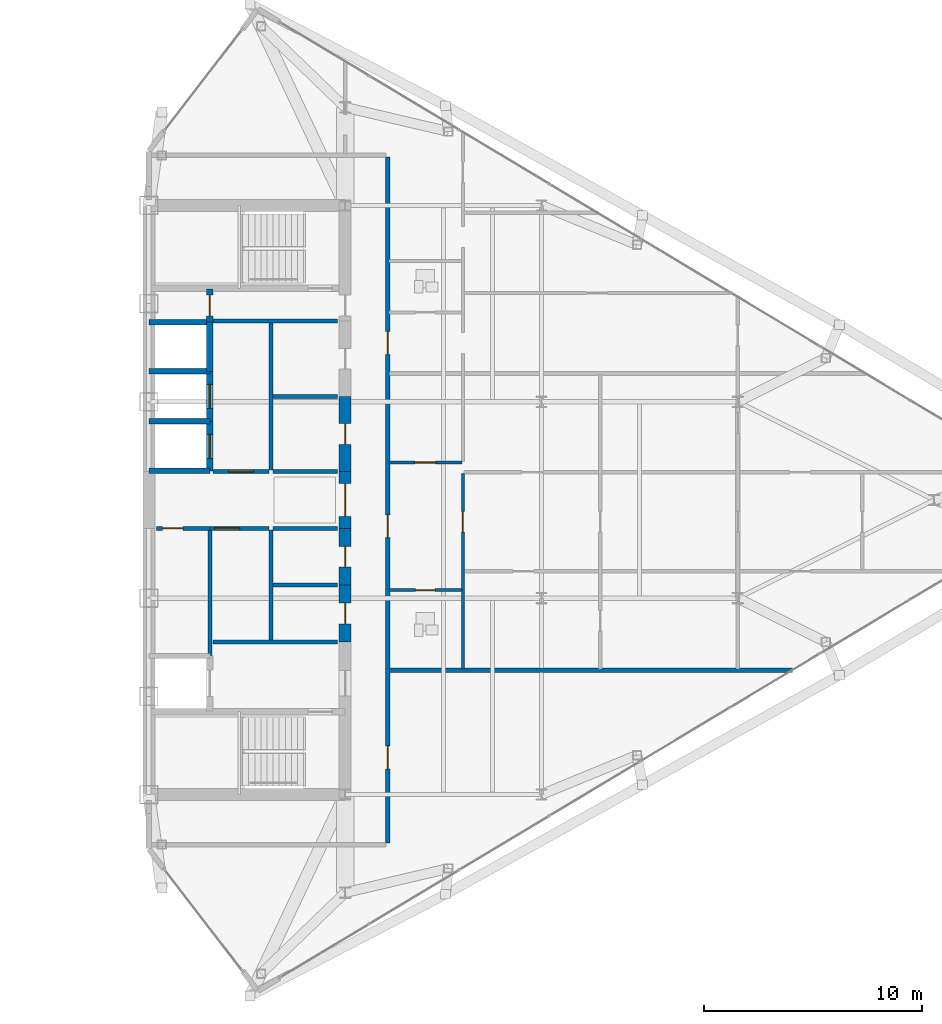
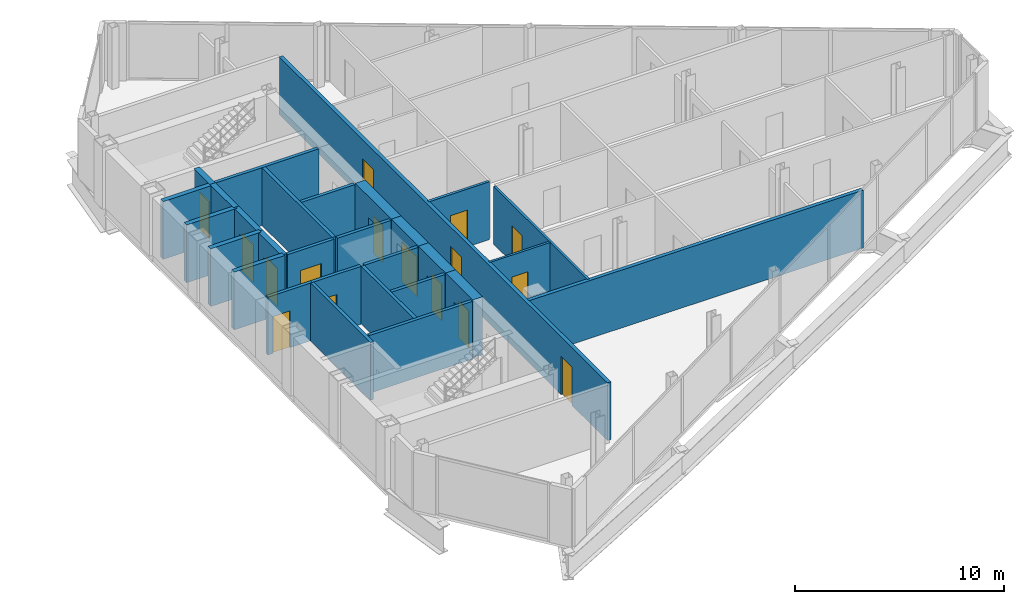
# One storey, part 24 of 29: 29 walls, 16 doors, 16 openings.
"""IFC4 building model written with IfcOpenShell, lengths in metres."""

from ifc_helpers import new_model, si_unit, direction, frame, frame_2d, origin, place, context, subcontext, project, spatial, rectangle, extrude, source, transform, mapped, material, layer, layer_set, type_object, type_shapes, element, fill, save


model = new_model("IFC4")

# Units and contexts
model_context = context("Model", 3, precision=1e-05, world=origin(), true_north=direction((0.0, 1.0)))
body_context = subcontext(model_context, "Body", "Model", "MODEL_VIEW")
ifc_project = project(units=[si_unit("LENGTHUNIT", "METRE"), si_unit("AREAUNIT", "SQUARE_METRE"), si_unit("VOLUMEUNIT", "CUBIC_METRE"), si_unit("PLANEANGLEUNIT", "RADIAN"), si_unit("MASSUNIT", "GRAM", prefix="KILO")], contexts=[model_context])

# Site, building, storey
site_placement = place(None, origin())
site = spatial("IfcSite", under=ifc_project, at=site_placement, CompositionType="ELEMENT")
building_placement = place(site_placement, origin())
building = spatial("IfcBuilding", under=site, at=building_placement, Name="Seokmaru Belvedere", CompositionType="ELEMENT")
storey_placement = place(building_placement, frame((0.0, 0.0, 195.89990234375)))
storey = spatial("IfcBuildingStorey", under=building, at=storey_placement, Name="L52", CompositionType="ELEMENT", Elevation=195.89990234375)

# Wall, opening, door
ifc_material_1 = material(Name="Fire-Rated Gypsum Shaftwall")
ifc_layer_1 = layer(ifc_material_1, 0.14990234375)
ifc_layer_set_1 = layer_set([ifc_layer_1], Name="Fire-Rated Gypsum Shaftwall")
wall_type_1 = type_object("IfcWallType", Name="Apartment Fire-Acoustic Room Partition 150", PredefinedType="PARTITIONING", material=ifc_layer_set_1)
wall_1_placement = place(storey_placement, frame((38.5, 1.719970703125, 0.0), z_axis=(0.0, 0.0, 1.0), x_axis=(1.0, 0.0, 0.0)))
wall_1 = element("IfcWall", 1, at=wall_1_placement, inside=storey, type_object=wall_type_1, Name="L52 Interior Partition 013", PredefinedType="PARTITIONING", context=body_context, shape_type="SweptSolid", body=[
    extrude(rectangle(XDim=3.35009765625, YDim=0.14990234375, at=frame_2d((1.675048828125, 0.0))), origin(), (0.0, 0.0, 1.0), 3.380126953125),
])
opening_1_placement = place(wall_1_placement, frame((1.199951171875, 0.0, 0.0)))
opening_1 = element("IfcOpeningElement", 2, at=opening_1_placement, cuts=wall_1, Name="Opening D05", PredefinedType="OPENING", context=body_context, shape_type="SweptSolid", body=[
    extrude(rectangle(XDim=0.949951171875, YDim=2.14990234375, at=frame_2d((0.47509765625, 1.074951171875))), frame((0.0, 0.0849609375, 0.0), z_axis=(0.0, -1.0, 0.0), x_axis=(1.0, 0.0, 0.0)), (0.0, 0.0, 1.0), 0.169921875),
])
ifc_material_2 = material(Name="Engineered White Oak Timber", Category="wood")
door_type_1 = type_object("IfcDoorType", Name="Apartment Interior Fire-Rated Oak Door 950x2150", OperationType="NOTDEFINED", PredefinedType="DOOR", material=ifc_material_2)
shared_shape_1 = source(origin(), body_context, "Body", "SweptSolid", [
    extrude(rectangle(XDim=0.949951171875, YDim=2.14990234375, at=frame_2d((0.47509765625, 1.074951171875))), frame((0.0, 0.02490234375, 0.0), z_axis=(0.0, -1.0, 0.0), x_axis=(1.0, 0.0, 0.0)), (0.0, 0.0, 1.0), 0.050048828125),
])
type_shapes(door_type_1, [shared_shape_1])
door_1_placement = place(opening_1_placement, origin())
door_1 = element("IfcDoor", 3, at=door_1_placement, inside=storey, type_object=door_type_1, Name="L52 Interior Door 021", OperationType="SINGLE_SWING_RIGHT", OverallHeight=2.14990234375, OverallWidth=0.949951171875, PredefinedType="DOOR", context=body_context, shape_type="MappedRepresentation", body=[
    mapped(shared_shape_1, transform((0.0, 0.0, 0.0), scale=1.0)),
])
fill(opening_1, door_1)

# Walls
ifc_layer_2 = layer(ifc_material_1, 0.179931640625)
ifc_layer_set_2 = layer_set([ifc_layer_2], Name="Fire-Rated Gypsum Shaftwall")
wall_type_2 = type_object("IfcWallType", Name="Core Service Fire Partition 180", PredefinedType="PARTITIONING", material=ifc_layer_set_2)
for number, where, z_axis, x_axis, name in (
    (4, (30.449951171875, -6.5, 0.0), (0.0, 0.0, 1.0), (1.0, 0.0, 0.0), "L52 East Firefighting Lobby Partition"),
    (5, (30.449951171875, 8.199951171875, 0.0), (0.0, 0.0, 1.0), (1.0, 0.0, 0.0), "L52 East Smokeproof Vestibule Partition"),
):
    element("IfcWall", number, at=place(storey_placement, frame(where, z_axis=z_axis, x_axis=x_axis)), inside=storey, type_object=wall_type_2, Name=name, PredefinedType="PARTITIONING", context=body_context, shape_type="SweptSolid", body=[
        extrude(rectangle(XDim=5.699951171875, YDim=0.179931640625, at=frame_2d((2.85009765625, 0.0))), origin(), (0.0, 0.0, 1.0), 3.380126953125),
    ])
wall_2_placement = place(storey_placement, frame((33.10009765625, -6.419921875, 0.0), z_axis=(0.0, 0.0, 1.0), x_axis=(0.0, 1.0, 0.0)))
element("IfcWall", 6, at=wall_2_placement, inside=storey, type_object=wall_type_2, Name="L52 East South Core Service Back Wall", PredefinedType="PARTITIONING", context=body_context, shape_type="SweptSolid", body=[
    extrude(rectangle(XDim=5.0400390625, YDim=0.179931640625, at=frame_2d((2.52001953125, 0.0))), origin(), (0.0, 0.0, 1.0), 3.380126953125),
])
wall_3_placement = place(storey_placement, frame((33.10009765625, 1.3798828125, 0.0), z_axis=(0.0, 0.0, 1.0), x_axis=(0.0, 1.0, 0.0)))
element("IfcWall", 7, at=wall_3_placement, inside=storey, type_object=wall_type_2, Name="L52 East North Core Service Back Wall", PredefinedType="PARTITIONING", context=body_context, shape_type="SweptSolid", body=[
    extrude(rectangle(XDim=6.740234375, YDim=0.179931640625, at=frame_2d((3.3701171875, 0.0))), origin(), (0.0, 0.0, 1.0), 3.380126953125),
])

# Wall, opening, door
wall_4_placement = place(storey_placement, frame((27.85009765625, -1.300048828125, 0.0), z_axis=(0.0, 0.0, 1.0), x_axis=(1.0, 0.0, 0.0)))
wall_4 = element("IfcWall", 8, at=wall_4_placement, inside=storey, type_object=wall_type_2, Name="L52 East South Parcel Vault Foyer Wall", PredefinedType="PARTITIONING", context=body_context, shape_type="SweptSolid", body=[
    extrude(rectangle(XDim=2.449951171875, YDim=0.179931640625, at=frame_2d((1.22509765625, 0.0))), origin(), (0.0, 0.0, 1.0), 3.380126953125),
])
opening_2_placement = place(wall_4_placement, frame((0.27490234375, 0.0, 0.0)))
opening_2 = element("IfcOpeningElement", 9, at=opening_2_placement, cuts=wall_4, Name="Opening D04", PredefinedType="OPENING", context=body_context, shape_type="SweptSolid", body=[
    extrude(rectangle(XDim=0.949951171875, YDim=2.14990234375, at=frame_2d((0.47509765625, 1.074951171875))), frame((0.0, 0.10009765625, 0.0), z_axis=(0.0, -1.0, 0.0), x_axis=(1.0, 0.0, 0.0)), (0.0, 0.0, 1.0), 0.199951171875),
])
ifc_material_3 = material(Name="Fire-Rated Steel Leaf", Category="steel")
door_type_2 = type_object("IfcDoorType", Name="Core Service Room Fire Door 950x2150", OperationType="NOTDEFINED", PredefinedType="DOOR", material=ifc_material_3)
shared_shape_2 = source(origin(), body_context, "Body", "SweptSolid", [
    extrude(rectangle(XDim=0.949951171875, YDim=2.14990234375, at=frame_2d((0.47509765625, 1.074951171875))), frame((0.0, 0.02490234375, 0.0), z_axis=(0.0, -1.0, 0.0), x_axis=(1.0, 0.0, 0.0)), (0.0, 0.0, 1.0), 0.050048828125),
])
type_shapes(door_type_2, [shared_shape_2])
door_2_placement = place(opening_2_placement, origin())
door_2 = element("IfcDoor", 10, at=door_2_placement, inside=storey, type_object=door_type_2, Name="L52 East South Parcel Vault Door", OperationType="SINGLE_SWING_RIGHT", OverallHeight=2.14990234375, OverallWidth=0.949951171875, PredefinedType="DOOR", context=body_context, shape_type="MappedRepresentation", body=[
    mapped(shared_shape_2, transform((0.0, 0.0, 0.0), scale=1.0)),
])
fill(opening_2, door_2)

wall_5_placement = place(storey_placement, frame((30.300048828125, -1.300048828125, 0.0), z_axis=(0.0, 0.0, 1.0), x_axis=(1.0, 0.0, 0.0)))
wall_5 = element("IfcWall", 11, at=wall_5_placement, inside=storey, type_object=wall_type_2, Name="L52 East South Wine Cellar Foyer Wall", PredefinedType="PARTITIONING", context=body_context, shape_type="SweptSolid", body=[
    extrude(rectangle(XDim=2.719970703125, YDim=0.179931640625, at=frame_2d((1.35986328125, 0.0))), origin(), (0.0, 0.0, 1.0), 3.380126953125),
])
opening_3_placement = place(wall_5_placement, frame((0.2099609375, 0.0, 0.0)))
opening_3 = element("IfcOpeningElement", 12, at=opening_3_placement, cuts=wall_5, Name="Opening D02", PredefinedType="OPENING", context=body_context, shape_type="SweptSolid", body=[
    extrude(rectangle(XDim=1.14990234375, YDim=2.199951171875, at=frame_2d((0.574951171875, 1.10009765625))), frame((0.0, 0.10009765625, 0.0), z_axis=(0.0, -1.0, 0.0), x_axis=(1.0, 0.0, 0.0)), (0.0, 0.0, 1.0), 0.199951171875),
])
door_type_3 = type_object("IfcDoorType", Name="Lobby and Vestibule Fire Door 1150x2200", OperationType="NOTDEFINED", PredefinedType="DOOR", material=ifc_material_3)
shared_shape_3 = source(origin(), body_context, "Body", "SweptSolid", [
    extrude(rectangle(XDim=1.14990234375, YDim=2.199951171875, at=frame_2d((0.574951171875, 1.10009765625))), frame((0.0, 0.02490234375, 0.0), z_axis=(0.0, -1.0, 0.0), x_axis=(1.0, 0.0, 0.0)), (0.0, 0.0, 1.0), 0.050048828125),
])
type_shapes(door_type_3, [shared_shape_3])
door_3_placement = place(opening_3_placement, origin())
door_3 = element("IfcDoor", 13, at=door_3_placement, inside=storey, type_object=door_type_3, Name="L52 East South Core Foyer Door", OperationType="SINGLE_SWING_RIGHT", OverallHeight=2.199951171875, OverallWidth=1.14990234375, PredefinedType="DOOR", context=body_context, shape_type="MappedRepresentation", body=[
    mapped(shared_shape_3, transform((0.0, 0.0, 0.0), scale=1.0)),
])
fill(opening_3, door_3)

# Wall
wall_6_placement = place(storey_placement, frame((30.300048828125, -7.1201171875, 0.0), z_axis=(0.0, 0.0, 1.0), x_axis=(0.0, 1.0, 0.0)))
element("IfcWall", 14, at=wall_6_placement, inside=storey, type_object=wall_type_2, Name="L52 East Freed Shaft Vault Partition", PredefinedType="PARTITIONING", context=body_context, shape_type="SweptSolid", body=[
    extrude(rectangle(XDim=5.740234375, YDim=0.179931640625, at=frame_2d((2.8701171875, 0.0))), origin(), (0.0, 0.0, 1.0), 3.380126953125),
])

# Wall, opening, door
wall_7_placement = place(storey_placement, frame((30.449951171875, 1.300048828125, 0.0), z_axis=(0.0, 0.0, 1.0), x_axis=(1.0, 0.0, 0.0)))
wall_7 = element("IfcWall", 15, at=wall_7_placement, inside=storey, type_object=wall_type_2, Name="L52 East North Lift Lobby Foyer Wall", PredefinedType="PARTITIONING", context=body_context, shape_type="SweptSolid", body=[
    extrude(rectangle(XDim=2.570068359375, YDim=0.179931640625, at=frame_2d((1.28515625, 0.0))), origin(), (0.0, 0.0, 1.0), 3.380126953125),
])
opening_4_placement = place(wall_7_placement, frame((0.7099609375, 0.0, 0.0)))
opening_4 = element("IfcOpeningElement", 16, at=opening_4_placement, cuts=wall_7, Name="Opening D02", PredefinedType="OPENING", context=body_context, shape_type="SweptSolid", body=[
    extrude(rectangle(XDim=1.14990234375, YDim=2.199951171875, at=frame_2d((0.574951171875, 1.10009765625))), frame((0.0, 0.10009765625, 0.0), z_axis=(0.0, -1.0, 0.0), x_axis=(1.0, 0.0, 0.0)), (0.0, 0.0, 1.0), 0.199951171875),
])
door_4_placement = place(opening_4_placement, origin())
door_4 = element("IfcDoor", 17, at=door_4_placement, inside=storey, type_object=door_type_3, Name="L52 East North Lift Lobby Door", OperationType="SINGLE_SWING_LEFT", OverallHeight=2.199951171875, OverallWidth=1.14990234375, PredefinedType="DOOR", context=body_context, shape_type="MappedRepresentation", body=[
    mapped(shared_shape_3, transform((0.0, 0.0, 0.0), scale=1.0)),
])
fill(opening_4, door_4)

# Walls
for number, where, z_axis, x_axis, name in (
    (18, (33.199951171875, -1.300048828125, 0.0), (0.0, 0.0, 1.0), (1.0, 0.0, 0.0), "L52 East Foyer Side Wall S"),
    (19, (33.199951171875, 1.300048828125, 0.0), (0.0, 0.0, 1.0), (1.0, 0.0, 0.0), "L52 East Foyer Side Wall N"),
    (20, (33.199951171875, -3.89990234375, 0.0), (0.0, 0.0, 1.0), (1.0, 0.0, 0.0), "L52 East Core Service Partition 1"),
    (21, (33.199951171875, 4.75, 0.0), (0.0, 0.0, 1.0), (1.0, 0.0, 0.0), "L52 East Core Service Partition 2"),
):
    element("IfcWall", number, at=place(storey_placement, frame(where, z_axis=z_axis, x_axis=x_axis)), inside=storey, type_object=wall_type_2, Name=name, PredefinedType="PARTITIONING", context=body_context, shape_type="SweptSolid", body=[
        extrude(rectangle(XDim=2.949951171875, YDim=0.179931640625, at=frame_2d((1.47509765625, 0.0))), origin(), (0.0, 0.0, 1.0), 3.380126953125),
    ])
ifc_material_4 = material(Name="Concrete C50 (50 MPa)", Category="concrete")
ifc_layer_3 = layer(ifc_material_4, 0.25)
ifc_layer_set_3 = layer_set([ifc_layer_3], Name="Concrete C50 (50 MPa)")
wall_type_3 = type_object("IfcWallType", Name="Hoistway Transverse Concrete Divider Wall 250", PredefinedType="SHEAR", material=ifc_layer_set_3)
for number, where, z_axis, x_axis, name in (
    (22, (27.5, 1.35009765625, 0.0), (0.0, 0.0, 1.0), (1.0, 0.0, 0.0), "L52 East Hoistway Divider Core Wall 2"),
    (23, (27.5, 3.60009765625, 0.0), (0.0, 0.0, 1.0), (1.0, 0.0, 0.0), "L52 East Hoistway Divider Core Wall 3"),
    (24, (27.5, 5.89990234375, 0.0), (0.0, 0.0, 1.0), (1.0, 0.0, 0.0), "L52 East Hoistway Divider Core Wall 4"),
    (25, (27.5, 8.14990234375, 0.0), (0.0, 0.0, 1.0), (1.0, 0.0, 0.0), "L52 East Hoistway Divider Core Wall 5"),
):
    element("IfcWall", number, at=place(storey_placement, frame(where, z_axis=z_axis, x_axis=x_axis)), inside=storey, type_object=wall_type_3, Name=name, PredefinedType="SHEAR", context=body_context, shape_type="SweptSolid", body=[
        extrude(rectangle(XDim=2.800048828125, YDim=0.25, at=frame_2d((1.39990234375, 0.0))), origin(), (0.0, 0.0, 1.0), 3.380126953125),
    ])
ifc_layer_4 = layer(ifc_material_1, 0.199951171875)
ifc_layer_set_4 = layer_set([ifc_layer_4], Name="Fire-Rated Gypsum Shaftwall")
wall_type_4 = type_object("IfcWallType", Name="Inter-Tenancy Fire Compartment Partition 200", PredefinedType="PARTITIONING", material=ifc_layer_set_4)
wall_8_placement = place(storey_placement, frame((38.530029296875, -7.800048828125, 0.0), z_axis=(0.0, 0.0, 1.0), x_axis=(1.0, 0.0, 0.0)))
element("IfcWall", 26, at=wall_8_placement, inside=storey, type_object=wall_type_4, Name="L52 Interior Partition 006", PredefinedType="PARTITIONING", context=body_context, shape_type="SweptSolid", body=[
    extrude(rectangle(XDim=18.47998046875, YDim=0.199951171875, at=frame_2d((9.239990234375, 0.0))), origin(), (0.0, 0.0, 1.0), 3.380126953125),
])

# Wall, openings, doors
wall_9_placement = place(storey_placement, frame((38.449951171875, -15.715087890625, 0.0), z_axis=(0.0, 0.0, 1.0), x_axis=(0.0, 1.0, 0.0)))
wall_9 = element("IfcWall", 27, at=wall_9_placement, inside=storey, type_object=wall_type_4, Name="L52 Interior Partition 032", PredefinedType="PARTITIONING", context=body_context, shape_type="SweptSolid", body=[
    extrude(rectangle(XDim=31.43017578125, YDim=0.199951171875, at=frame_2d((15.715087890625, 0.0))), origin(), (0.0, 0.0, 1.0), 3.380126953125),
])
opening_5_placement = place(wall_9_placement, frame((3.389892578125, 0.0, 0.0)))
opening_5 = element("IfcOpeningElement", 28, at=opening_5_placement, cuts=wall_9, Name="Opening D03", PredefinedType="OPENING", context=body_context, shape_type="SweptSolid", body=[
    extrude(rectangle(XDim=1.050048828125, YDim=2.25, at=frame_2d((0.52490234375, 1.125))), frame((0.0, 0.10986328125, 0.0), z_axis=(0.0, -1.0, 0.0), x_axis=(1.0, 0.0, 0.0)), (0.0, 0.0, 1.0), 0.219970703125),
])
opening_6_placement = place(wall_9_placement, frame((13.986083984375, 0.0, 0.0)))
opening_6 = element("IfcOpeningElement", 29, at=opening_6_placement, cuts=wall_9, Name="Opening D03", PredefinedType="OPENING", context=body_context, shape_type="SweptSolid", body=[
    extrude(rectangle(XDim=1.050048828125, YDim=2.25, at=frame_2d((0.52490234375, 1.125))), frame((0.0, 0.10986328125, 0.0), z_axis=(0.0, -1.0, 0.0), x_axis=(1.0, 0.0, 0.0)), (0.0, 0.0, 1.0), 0.219970703125),
])
opening_7_placement = place(wall_9_placement, frame((22.387451171875, 0.0, 0.0)))
opening_7 = element("IfcOpeningElement", 30, at=opening_7_placement, cuts=wall_9, Name="Opening D03", PredefinedType="OPENING", context=body_context, shape_type="SweptSolid", body=[
    extrude(rectangle(XDim=1.050048828125, YDim=2.25, at=frame_2d((0.52490234375, 1.125))), frame((0.0, 0.10986328125, 0.0), z_axis=(0.0, -1.0, 0.0), x_axis=(1.0, 0.0, 0.0)), (0.0, 0.0, 1.0), 0.219970703125),
])
door_type_4 = type_object("IfcDoorType", Name="Apartment Entrance Fire Door 1050x2250", OperationType="NOTDEFINED", PredefinedType="DOOR", material=ifc_material_3)
shared_shape_4 = source(origin(), body_context, "Body", "SweptSolid", [
    extrude(rectangle(XDim=1.050048828125, YDim=2.25, at=frame_2d((0.52490234375, 1.125))), frame((0.0, 0.02490234375, 0.0), z_axis=(0.0, -1.0, 0.0), x_axis=(1.0, 0.0, 0.0)), (0.0, 0.0, 1.0), 0.050048828125),
])
type_shapes(door_type_4, [shared_shape_4])
door_5_placement = place(opening_5_placement, origin())
door_5 = element("IfcDoor", 31, at=door_5_placement, inside=storey, type_object=door_type_4, Name="L52 Interior Door 018", OperationType="SINGLE_SWING_LEFT", OverallHeight=2.25, OverallWidth=1.050048828125, PredefinedType="DOOR", context=body_context, shape_type="MappedRepresentation", body=[
    mapped(shared_shape_4, transform((0.0, 0.0, 0.0), scale=1.0)),
])
fill(opening_5, door_5)
door_6_placement = place(opening_6_placement, origin())
door_6 = element("IfcDoor", 32, at=door_6_placement, inside=storey, type_object=door_type_4, Name="L52 Interior Door 019", OperationType="SINGLE_SWING_RIGHT", OverallHeight=2.25, OverallWidth=1.050048828125, PredefinedType="DOOR", context=body_context, shape_type="MappedRepresentation", body=[
    mapped(shared_shape_4, transform((0.0, 0.0, 0.0), scale=1.0)),
])
fill(opening_6, door_6)
door_7_placement = place(opening_7_placement, origin())
door_7 = element("IfcDoor", 33, at=door_7_placement, inside=storey, type_object=door_type_4, Name="L52 Interior Door 032", OperationType="SINGLE_SWING_LEFT", OverallHeight=2.25, OverallWidth=1.050048828125, PredefinedType="DOOR", context=body_context, shape_type="MappedRepresentation", body=[
    mapped(shared_shape_4, transform((0.0, 0.0, 0.0), scale=1.0)),
])
fill(opening_7, door_7)

# Wall, opening, door
ifc_layer_5 = layer(ifc_material_4, 0.300048828125)
ifc_layer_set_5 = layer_set([ifc_layer_5], Name="Concrete C50 (50 MPa)")
wall_type_5 = type_object("IfcWallType", Name="Internal Core Stair and Hoistway Wall 300", PredefinedType="SHEAR", material=ifc_layer_set_5)
wall_10_placement = place(storey_placement, frame((30.300048828125, 1.320068359375, 0.0), z_axis=(0.0, 0.0, 1.0), x_axis=(0.0, 1.0, 0.0)))
wall_10 = element("IfcWall", 34, at=wall_10_placement, inside=storey, type_object=wall_type_5, Name="L52 East North Hoistway Wall PH1", PredefinedType="SHEAR", context=body_context, shape_type="SweptSolid", body=[
    extrude(rectangle(XDim=2.280029296875, YDim=0.300048828125, at=frame_2d((1.14013671875, 0.0))), origin(), (0.0, 0.0, 1.0), 3.380126953125),
])
opening_8_placement = place(wall_10_placement, frame((0.590087890625, 0.0, 0.0)))
opening_8 = element("IfcOpeningElement", 35, at=opening_8_placement, cuts=wall_10, Name="Opening LD1", PredefinedType="OPENING", context=body_context, shape_type="SweptSolid", body=[
    extrude(rectangle(XDim=1.10009765625, YDim=2.199951171875, at=frame_2d((0.550048828125, 1.10009765625))), frame((0.0, 0.16015625, 0.0), z_axis=(0.0, -1.0, 0.0), x_axis=(1.0, 0.0, 0.0)), (0.0, 0.0, 1.0), 0.320068359375),
])
ifc_material_5 = material(Name="Stainless Steel 316", Category="steel")
door_type_5 = type_object("IfcDoorType", Name="Passenger Lift Sliding Landing Door 1100x2200", OperationType="DOUBLE_DOOR_SLIDING", PredefinedType="DOOR", material=ifc_material_5)
shared_shape_5 = source(origin(), body_context, "Body", "SweptSolid", [
    extrude(rectangle(XDim=1.10009765625, YDim=2.199951171875, at=frame_2d((0.550048828125, 1.10009765625))), frame((0.0, 0.02490234375, 0.0), z_axis=(0.0, -1.0, 0.0), x_axis=(1.0, 0.0, 0.0)), (0.0, 0.0, 1.0), 0.050048828125),
])
type_shapes(door_type_5, [shared_shape_5])
door_8_placement = place(opening_8_placement, origin())
door_8 = element("IfcDoor", 36, at=door_8_placement, inside=storey, type_object=door_type_5, Name="L52 East High-Rise Lift PH-1 Landing Door", OperationType="DOUBLE_DOOR_SLIDING", OverallHeight=2.199951171875, OverallWidth=1.10009765625, PredefinedType="DOOR", context=body_context, shape_type="MappedRepresentation", body=[
    mapped(shared_shape_5, transform((0.0, 0.0, 0.0), scale=1.0)),
])
fill(opening_8, door_8)

wall_11_placement = place(storey_placement, frame((30.300048828125, 3.60009765625, 0.0), z_axis=(0.0, 0.0, 1.0), x_axis=(0.0, 1.0, 0.0)))
wall_11 = element("IfcWall", 37, at=wall_11_placement, inside=storey, type_object=wall_type_5, Name="L52 East North Hoistway Wall PH2", PredefinedType="SHEAR", context=body_context, shape_type="SweptSolid", body=[
    extrude(rectangle(XDim=2.2998046875, YDim=0.300048828125, at=frame_2d((1.14990234375, 0.0))), origin(), (0.0, 0.0, 1.0), 3.380126953125),
])
opening_9_placement = place(wall_11_placement, frame((0.60009765625, 0.0, 0.0)))
opening_9 = element("IfcOpeningElement", 38, at=opening_9_placement, cuts=wall_11, Name="Opening LD1", PredefinedType="OPENING", context=body_context, shape_type="SweptSolid", body=[
    extrude(rectangle(XDim=1.10009765625, YDim=2.199951171875, at=frame_2d((0.550048828125, 1.10009765625))), frame((0.0, 0.16015625, 0.0), z_axis=(0.0, -1.0, 0.0), x_axis=(1.0, 0.0, 0.0)), (0.0, 0.0, 1.0), 0.320068359375),
])
door_9_placement = place(opening_9_placement, origin())
door_9 = element("IfcDoor", 39, at=door_9_placement, inside=storey, type_object=door_type_5, Name="L52 East High-Rise Lift PH-2 Landing Door", OperationType="DOUBLE_DOOR_SLIDING", OverallHeight=2.199951171875, OverallWidth=1.10009765625, PredefinedType="DOOR", context=body_context, shape_type="MappedRepresentation", body=[
    mapped(shared_shape_5, transform((0.0, 0.0, 0.0), scale=1.0)),
])
fill(opening_9, door_9)

# Wall
wall_12_placement = place(storey_placement, frame((30.300048828125, 5.89990234375, 0.0), z_axis=(0.0, 0.0, 1.0), x_axis=(0.0, 1.0, 0.0)))
element("IfcWall", 40, at=wall_12_placement, inside=storey, type_object=wall_type_5, Name="L52 East North Hoistway Wall OBS", PredefinedType="SHEAR", context=body_context, shape_type="SweptSolid", body=[
    extrude(rectangle(XDim=2.25, YDim=0.300048828125, at=frame_2d((1.125, 0.0))), origin(), (0.0, 0.0, 1.0), 3.380126953125),
])

# Wall, opening, door
wall_13_placement = place(storey_placement, frame((30.300048828125, 8.14990234375, 0.0), z_axis=(0.0, 0.0, 1.0), x_axis=(0.0, 1.0, 0.0)))
wall_13 = element("IfcWall", 41, at=wall_13_placement, inside=storey, type_object=wall_type_5, Name="L52 East Electrical Riser Front Wall", PredefinedType="SHEAR", context=body_context, shape_type="SweptSolid", body=[
    extrude(rectangle(XDim=1.530029296875, YDim=0.300048828125, at=frame_2d((0.76513671875, 0.0))), origin(), (0.0, 0.0, 1.0), 3.380126953125),
])
opening_10_placement = place(wall_13_placement, frame((0.284912109375, 0.0, 0.0)))
opening_10 = element("IfcOpeningElement", 42, at=opening_10_placement, cuts=wall_13, Name="Opening D04", PredefinedType="OPENING", context=body_context, shape_type="SweptSolid", body=[
    extrude(rectangle(XDim=0.949951171875, YDim=2.14990234375, at=frame_2d((0.47509765625, 1.074951171875))), frame((0.0, 0.16015625, 0.0), z_axis=(0.0, -1.0, 0.0), x_axis=(1.0, 0.0, 0.0)), (0.0, 0.0, 1.0), 0.320068359375),
])
door_10_placement = place(opening_10_placement, origin())
door_10 = element("IfcDoor", 43, at=door_10_placement, inside=storey, type_object=door_type_2, Name="L52 East Electrical Riser Access Door", OperationType="SINGLE_SWING_RIGHT", OverallHeight=2.14990234375, OverallWidth=0.949951171875, PredefinedType="DOOR", context=body_context, shape_type="MappedRepresentation", body=[
    mapped(shared_shape_2, transform((0.0, 0.0, 0.0), scale=1.0)),
])
fill(opening_10, door_10)

ifc_layer_6 = layer(ifc_material_4, 0.550048828125)
ifc_layer_set_6 = layer_set([ifc_layer_6], Name="Concrete C50 (50 MPa)")
wall_type_6 = type_object("IfcWallType", Name="Mid-High Reinforced Concrete Core Wall 550", PredefinedType="SHEAR", material=ifc_layer_set_6)
wall_14_placement = place(storey_placement, frame((36.5, -1.300048828125, 0.0), z_axis=(0.0, 0.0, 1.0), x_axis=(0.0, 1.0, 0.0)))
wall_14 = element("IfcWall", 44, at=wall_14_placement, inside=storey, type_object=wall_type_6, Name="L52 East West Core Wall FOY", PredefinedType="SHEAR", context=body_context, shape_type="SweptSolid", body=[
    extrude(rectangle(XDim=2.60009765625, YDim=0.550048828125, at=frame_2d((1.300048828125, 0.0))), origin(), (0.0, 0.0, 1.0), 3.380126953125),
])
opening_11_placement = place(wall_14_placement, frame((0.550048828125, 0.0, 0.0)))
opening_11 = element("IfcOpeningElement", 45, at=opening_11_placement, cuts=wall_14, Name="Opening D08", PredefinedType="OPENING", context=body_context, shape_type="SweptSolid", body=[
    extrude(rectangle(XDim=1.5, YDim=2.300048828125, at=frame_2d((0.75, 1.14990234375))), frame((0.0, 0.28515625, 0.0), z_axis=(0.0, -1.0, 0.0), x_axis=(1.0, 0.0, 0.0)), (0.0, 0.0, 1.0), 0.570068359375),
])
door_type_6 = type_object("IfcDoorType", Name="Cross-Corridor Compartment Double Fire Door 1500x2300", OperationType="DOUBLE_SWING_LEFT", PredefinedType="DOOR", material=ifc_material_3)
shared_shape_6 = source(origin(), body_context, "Body", "SweptSolid", [
    extrude(rectangle(XDim=1.5, YDim=2.300048828125, at=frame_2d((0.75, 1.14990234375))), frame((0.0, 0.02490234375, 0.0), z_axis=(0.0, -1.0, 0.0), x_axis=(1.0, 0.0, 0.0)), (0.0, 0.0, 1.0), 0.050048828125),
])
type_shapes(door_type_6, [shared_shape_6])
door_11_placement = place(opening_11_placement, origin())
door_11 = element("IfcDoor", 46, at=door_11_placement, inside=storey, type_object=door_type_6, Name="L52 East Core Foyer Compartment Door", OperationType="DOUBLE_SWING_LEFT", OverallHeight=2.300048828125, OverallWidth=1.5, PredefinedType="DOOR", context=body_context, shape_type="MappedRepresentation", body=[
    mapped(shared_shape_6, transform((0.0, 0.0, 0.0), scale=1.0)),
])
fill(opening_11, door_11)

wall_15_placement = place(storey_placement, frame((36.5, -6.5, 0.0), z_axis=(0.0, 0.0, 1.0), x_axis=(0.0, 1.0, 0.0)))
wall_15 = element("IfcWall", 47, at=wall_15_placement, inside=storey, type_object=wall_type_6, Name="L52 East West Core Wall CS1", PredefinedType="SHEAR", context=body_context, shape_type="SweptSolid", body=[
    extrude(rectangle(XDim=2.60009765625, YDim=0.550048828125, at=frame_2d((1.300048828125, 0.0))), origin(), (0.0, 0.0, 1.0), 3.380126953125),
])
opening_12_placement = place(wall_15_placement, frame((0.824951171875, 0.0, 0.0)))
opening_12 = element("IfcOpeningElement", 48, at=opening_12_placement, cuts=wall_15, Name="Opening D04", PredefinedType="OPENING", context=body_context, shape_type="SweptSolid", body=[
    extrude(rectangle(XDim=0.949951171875, YDim=2.14990234375, at=frame_2d((0.47509765625, 1.074951171875))), frame((0.0, 0.28515625, 0.0), z_axis=(0.0, -1.0, 0.0), x_axis=(1.0, 0.0, 0.0)), (0.0, 0.0, 1.0), 0.570068359375),
])
door_12_placement = place(opening_12_placement, origin())
door_12 = element("IfcDoor", 49, at=door_12_placement, inside=storey, type_object=door_type_2, Name="L52 East Core Service Room Door 1", OperationType="SINGLE_SWING_RIGHT", OverallHeight=2.14990234375, OverallWidth=0.949951171875, PredefinedType="DOOR", context=body_context, shape_type="MappedRepresentation", body=[
    mapped(shared_shape_2, transform((0.0, 0.0, 0.0), scale=1.0)),
])
fill(opening_12, door_12)

wall_16_placement = place(storey_placement, frame((36.5, -3.89990234375, 0.0), z_axis=(0.0, 0.0, 1.0), x_axis=(0.0, 1.0, 0.0)))
wall_16 = element("IfcWall", 50, at=wall_16_placement, inside=storey, type_object=wall_type_6, Name="L52 East West Core Wall CS2", PredefinedType="SHEAR", context=body_context, shape_type="SweptSolid", body=[
    extrude(rectangle(XDim=2.599853515625, YDim=0.550048828125, at=frame_2d((1.2998046875, 0.0))), origin(), (0.0, 0.0, 1.0), 3.380126953125),
])
opening_13_placement = place(wall_16_placement, frame((0.824951171875, 0.0, 0.0)))
opening_13 = element("IfcOpeningElement", 51, at=opening_13_placement, cuts=wall_16, Name="Opening D04", PredefinedType="OPENING", context=body_context, shape_type="SweptSolid", body=[
    extrude(rectangle(XDim=0.949951171875, YDim=2.14990234375, at=frame_2d((0.47509765625, 1.074951171875))), frame((0.0, 0.28515625, 0.0), z_axis=(0.0, -1.0, 0.0), x_axis=(1.0, 0.0, 0.0)), (0.0, 0.0, 1.0), 0.570068359375),
])
door_13_placement = place(opening_13_placement, origin())
door_13 = element("IfcDoor", 52, at=door_13_placement, inside=storey, type_object=door_type_2, Name="L52 East Core Service Room Door 2", OperationType="SINGLE_SWING_LEFT", OverallHeight=2.14990234375, OverallWidth=0.949951171875, PredefinedType="DOOR", context=body_context, shape_type="MappedRepresentation", body=[
    mapped(shared_shape_2, transform((0.0, 0.0, 0.0), scale=1.0)),
])
fill(opening_13, door_13)

wall_17_placement = place(storey_placement, frame((36.5, 1.300048828125, 0.0), z_axis=(0.0, 0.0, 1.0), x_axis=(0.0, 1.0, 0.0)))
wall_17 = element("IfcWall", 53, at=wall_17_placement, inside=storey, type_object=wall_type_6, Name="L52 East West Core Wall CS3", PredefinedType="SHEAR", context=body_context, shape_type="SweptSolid", body=[
    extrude(rectangle(XDim=3.449951171875, YDim=0.550048828125, at=frame_2d((1.72509765625, 0.0))), origin(), (0.0, 0.0, 1.0), 3.380126953125),
])
opening_14_placement = place(wall_17_placement, frame((1.25, 0.0, 0.0)))
opening_14 = element("IfcOpeningElement", 54, at=opening_14_placement, cuts=wall_17, Name="Opening D04", PredefinedType="OPENING", context=body_context, shape_type="SweptSolid", body=[
    extrude(rectangle(XDim=0.949951171875, YDim=2.14990234375, at=frame_2d((0.47509765625, 1.074951171875))), frame((0.0, 0.28515625, 0.0), z_axis=(0.0, -1.0, 0.0), x_axis=(1.0, 0.0, 0.0)), (0.0, 0.0, 1.0), 0.570068359375),
])
door_14_placement = place(opening_14_placement, origin())
door_14 = element("IfcDoor", 55, at=door_14_placement, inside=storey, type_object=door_type_2, Name="L52 East Core Service Room Door 3", OperationType="SINGLE_SWING_RIGHT", OverallHeight=2.14990234375, OverallWidth=0.949951171875, PredefinedType="DOOR", context=body_context, shape_type="MappedRepresentation", body=[
    mapped(shared_shape_2, transform((0.0, 0.0, 0.0), scale=1.0)),
])
fill(opening_14, door_14)

ifc_layer_7 = layer(ifc_material_1, 0.1298828125)
ifc_layer_set_7 = layer_set([ifc_layer_7], Name="Fire-Rated Gypsum Shaftwall")
wall_type_7 = type_object("IfcWallType", Name="Moisture-Resistant Fire-Rated Bathroom Partition 130", PredefinedType="PARTITIONING", material=ifc_layer_set_7)
wall_18_placement = place(storey_placement, frame((38.5, -4.1298828125, 0.0), z_axis=(0.0, 0.0, 1.0), x_axis=(1.0, 0.0, 0.0)))
wall_18 = element("IfcWall", 56, at=wall_18_placement, inside=storey, type_object=wall_type_7, Name="L52 Interior Partition 008", PredefinedType="PARTITIONING", context=body_context, shape_type="SweptSolid", body=[
    extrude(rectangle(XDim=3.35009765625, YDim=0.1298828125, at=frame_2d((1.675048828125, 0.0))), origin(), (0.0, 0.0, 1.0), 3.380126953125),
])
opening_15_placement = place(wall_18_placement, frame((1.235107421875, 0.0, 0.0)))
opening_15 = element("IfcOpeningElement", 57, at=opening_15_placement, cuts=wall_18, Name="Opening D06", PredefinedType="OPENING", context=body_context, shape_type="SweptSolid", body=[
    extrude(rectangle(XDim=0.8798828125, YDim=2.10009765625, at=frame_2d((0.43994140625, 1.050048828125))), frame((0.0, 0.074951171875, 0.0), z_axis=(0.0, -1.0, 0.0), x_axis=(1.0, 0.0, 0.0)), (0.0, 0.0, 1.0), 0.14990234375),
])
door_type_7 = type_object("IfcDoorType", Name="Bathroom and Restroom Fire-Rated Door 880x2100", OperationType="NOTDEFINED", PredefinedType="DOOR", material=ifc_material_2)
shared_shape_7 = source(origin(), body_context, "Body", "SweptSolid", [
    extrude(rectangle(XDim=0.8798828125, YDim=2.10009765625, at=frame_2d((0.43994140625, 1.050048828125))), frame((0.0, 0.02490234375, 0.0), z_axis=(0.0, -1.0, 0.0), x_axis=(1.0, 0.0, 0.0)), (0.0, 0.0, 1.0), 0.050048828125),
])
type_shapes(door_type_7, [shared_shape_7])
door_15_placement = place(opening_15_placement, origin())
door_15 = element("IfcDoor", 58, at=door_15_placement, inside=storey, type_object=door_type_7, Name="L52 Interior Door 020", OperationType="SINGLE_SWING_RIGHT", OverallHeight=2.10009765625, OverallWidth=0.8798828125, PredefinedType="DOOR", context=body_context, shape_type="MappedRepresentation", body=[
    mapped(shared_shape_7, transform((0.0, 0.0, 0.0), scale=1.0)),
])
fill(opening_15, door_15)

wall_19_placement = place(storey_placement, frame((41.89990234375, -7.75, 0.0), z_axis=(0.0, 0.0, 1.0), x_axis=(0.0, 1.0, 0.0)))
wall_19 = element("IfcWall", 59, at=wall_19_placement, inside=storey, type_object=wall_type_7, Name="L52 Interior Partition 033", PredefinedType="PARTITIONING", context=body_context, shape_type="SweptSolid", body=[
    extrude(rectangle(XDim=8.967041015625, YDim=0.1298828125, at=frame_2d((4.4833984375, 0.0))), origin(), (0.0, 0.0, 1.0), 3.380126953125),
])
opening_16_placement = place(wall_19_placement, frame((6.27490234375, 0.0, 0.0)))
opening_16 = element("IfcOpeningElement", 60, at=opening_16_placement, cuts=wall_19, Name="Opening D05", PredefinedType="OPENING", context=body_context, shape_type="SweptSolid", body=[
    extrude(rectangle(XDim=0.949951171875, YDim=2.14990234375, at=frame_2d((0.47509765625, 1.074951171875))), frame((0.0, 0.074951171875, 0.0), z_axis=(0.0, -1.0, 0.0), x_axis=(1.0, 0.0, 0.0)), (0.0, 0.0, 1.0), 0.14990234375),
])
door_16_placement = place(opening_16_placement, origin())
door_16 = element("IfcDoor", 61, at=door_16_placement, inside=storey, type_object=door_type_1, Name="L52 Interior Door 022", OperationType="SINGLE_SWING_LEFT", OverallHeight=2.14990234375, OverallWidth=0.949951171875, PredefinedType="DOOR", context=body_context, shape_type="MappedRepresentation", body=[
    mapped(shared_shape_1, transform((0.0, 0.0, 0.0), scale=1.0)),
])
fill(opening_16, door_16)

save(model, "model.ifc")
